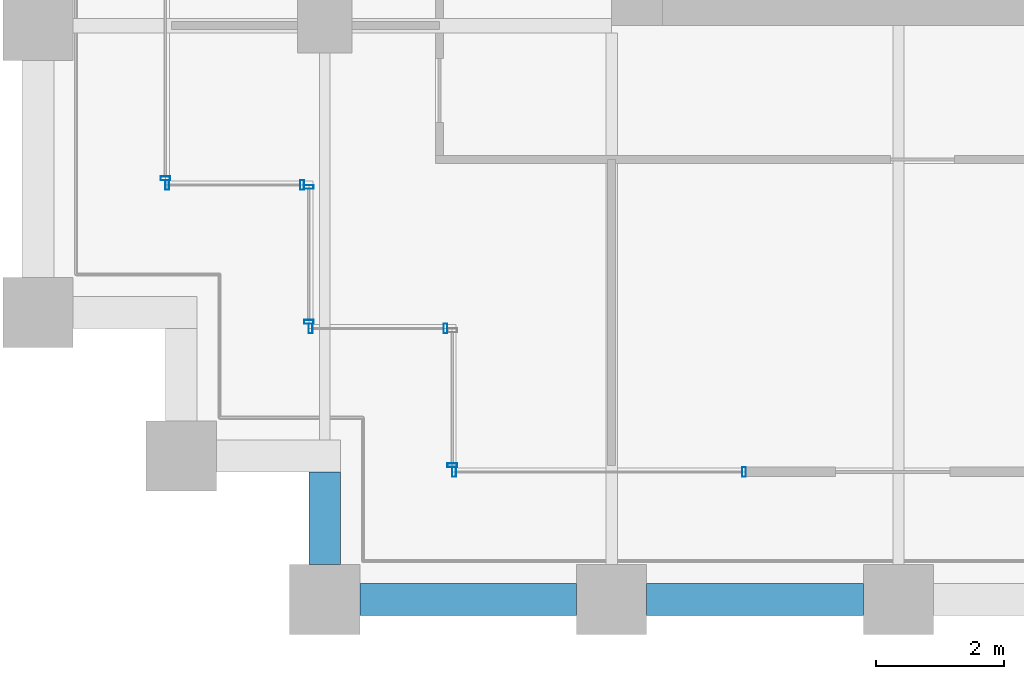
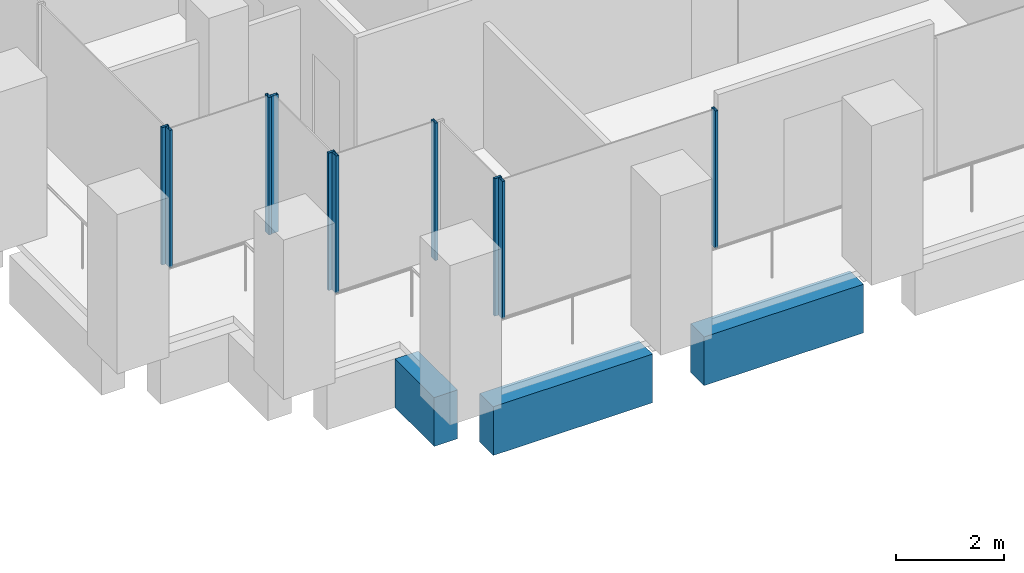
# One storey, part 34 of 56: 10 members, 3 beams, 6 elements without a shape of their own.
"""IFC4 building model written with IfcOpenShell, lengths in metres."""

from ifc_helpers import new_model, si_unit, direction, frame, origin, origin_2d, place, context, subcontext, project, spatial, rectangle, hollow_rectangle, extrude, material, material_profile, profile_set, type_object, element, aggregate, save


model = new_model("IFC4")

# Units and contexts
model_context = context("Model", 3, precision=1e-05, world=origin(), true_north=direction((0.0, 1.0)))
body_context = subcontext(model_context, "Body", "Model", "MODEL_VIEW")
ifc_project = project(units=[si_unit("LENGTHUNIT", "METRE"), si_unit("AREAUNIT", "SQUARE_METRE"), si_unit("VOLUMEUNIT", "CUBIC_METRE"), si_unit("PLANEANGLEUNIT", "RADIAN"), si_unit("MASSUNIT", "GRAM", prefix="KILO")], contexts=[model_context])

# Site, building, storey
site_placement = place(None, origin())
site = spatial("IfcSite", under=ifc_project, at=site_placement, CompositionType="ELEMENT")
building_placement = place(site_placement, origin())
building = spatial("IfcBuilding", under=site, at=building_placement, Name="Altepetl Exchange Towers", CompositionType="ELEMENT")
storey_placement = place(building_placement, frame((0.0, 0.0, 54.60009765625)))
storey = spatial("IfcBuildingStorey", under=building, at=storey_placement, Name="L12", CompositionType="ELEMENT", Elevation=54.60009765625)

# Curtain wall, member
ifc_material_1 = material(Name="Aluminium 6063-T6 glazing", Category="aluminium")
curtain_wall_type = type_object("IfcCurtainWallType", Name="Loggia glazing system", PredefinedType="NOTDEFINED", material=ifc_material_1)
curtain_wall_1_placement = place(storey_placement, origin())
curtain_wall_1 = element("IfcCurtainWall", 1, at=curtain_wall_1_placement, inside=storey, type_object=curtain_wall_type, Name="CW1 run", PredefinedType="NOTDEFINED")
ifc_material_2 = material(Name="Aluminium 6063-T6", Category="aluminium")
ifc_material_profile_1 = material_profile(ifc_material_2, hollow_rectangle(XDim=0.06005859375, YDim=0.14990234375, WallThickness=0.0029296875, at=origin_2d()), Name="Mullion 60x150 aluminium")
ifc_profile_set_1 = profile_set([ifc_material_profile_1], Name="Aluminium 6063-T6")
member_type = type_object("IfcMemberType", Name="Mullion 60x150 aluminium", PredefinedType="MULLION", material=ifc_profile_set_1)
member_1_placement = place(storey_placement, frame((96.5, 33.60498046875, 0.0), z_axis=(0.0, 0.0, 1.0), x_axis=(0.0, -1.0, 0.0)))
member_1 = element("IfcMember", 2, at=member_1_placement, type_object=member_type, Name="MU1 mullion", PredefinedType="MULLION", context=body_context, shape_type="SweptSolid", body=[
    extrude(hollow_rectangle(XDim=0.06005859375, YDim=0.14990234375, WallThickness=0.0029296875, at=origin_2d()), origin(), (0.0, 0.0, 1.0), 3.099853515625),
])
aggregate(curtain_wall_1, [member_1])

# Curtain wall, members
curtain_wall_2_placement = place(storey_placement, origin())
curtain_wall_2 = element("IfcCurtainWall", 3, at=curtain_wall_2_placement, inside=storey, type_object=curtain_wall_type, Name="CW1 run", PredefinedType="NOTDEFINED")
member_2_placement = place(storey_placement, frame((96.530029296875, 33.5, 0.0)))
member_2 = element("IfcMember", 4, at=member_2_placement, type_object=member_type, Name="MU1 mullion", PredefinedType="MULLION", context=body_context, shape_type="SweptSolid", body=[
    extrude(hollow_rectangle(XDim=0.06005859375, YDim=0.14990234375, WallThickness=0.0029296875, at=origin_2d()), origin(), (0.0, 0.0, 1.0), 3.099853515625),
])
member_3_placement = place(storey_placement, frame((98.64501953125, 33.5, 0.0)))
member_3 = element("IfcMember", 5, at=member_3_placement, type_object=member_type, Name="MU1 mullion", PredefinedType="MULLION", context=body_context, shape_type="SweptSolid", body=[
    extrude(hollow_rectangle(XDim=0.06005859375, YDim=0.14990234375, WallThickness=0.0029296875, at=origin_2d()), origin(), (0.0, 0.0, 1.0), 3.099853515625),
])
aggregate(curtain_wall_2, [member_2, member_3])

curtain_wall_3_placement = place(storey_placement, origin())
curtain_wall_3 = element("IfcCurtainWall", 6, at=curtain_wall_3_placement, inside=storey, type_object=curtain_wall_type, Name="CW1 run", PredefinedType="NOTDEFINED")
member_4_placement = place(storey_placement, frame((98.75, 33.469970703125, 0.0), z_axis=(0.0, 0.0, 1.0), x_axis=(0.0, -1.0, 0.0)))
member_4 = element("IfcMember", 7, at=member_4_placement, type_object=member_type, Name="MU1 mullion", PredefinedType="MULLION", context=body_context, shape_type="SweptSolid", body=[
    extrude(hollow_rectangle(XDim=0.06005859375, YDim=0.14990234375, WallThickness=0.0029296875, at=origin_2d()), origin(), (0.0, 0.0, 1.0), 3.099853515625),
])
member_5_placement = place(storey_placement, frame((98.75, 31.35498046875, 0.0), z_axis=(0.0, 0.0, 1.0), x_axis=(0.0, -1.0, 0.0)))
member_5 = element("IfcMember", 8, at=member_5_placement, type_object=member_type, Name="MU1 mullion", PredefinedType="MULLION", context=body_context, shape_type="SweptSolid", body=[
    extrude(hollow_rectangle(XDim=0.06005859375, YDim=0.14990234375, WallThickness=0.0029296875, at=origin_2d()), origin(), (0.0, 0.0, 1.0), 3.099853515625),
])
aggregate(curtain_wall_3, [member_4, member_5])

curtain_wall_4_placement = place(storey_placement, origin())
curtain_wall_4 = element("IfcCurtainWall", 9, at=curtain_wall_4_placement, inside=storey, type_object=curtain_wall_type, Name="CW1 run", PredefinedType="NOTDEFINED")
member_6_placement = place(storey_placement, frame((98.780029296875, 31.25, 0.0)))
member_6 = element("IfcMember", 10, at=member_6_placement, type_object=member_type, Name="MU1 mullion", PredefinedType="MULLION", context=body_context, shape_type="SweptSolid", body=[
    extrude(hollow_rectangle(XDim=0.06005859375, YDim=0.14990234375, WallThickness=0.0029296875, at=origin_2d()), origin(), (0.0, 0.0, 1.0), 3.099853515625),
])
member_7_placement = place(storey_placement, frame((100.89501953125, 31.25, 0.0)))
member_7 = element("IfcMember", 11, at=member_7_placement, type_object=member_type, Name="MU1 mullion", PredefinedType="MULLION", context=body_context, shape_type="SweptSolid", body=[
    extrude(hollow_rectangle(XDim=0.06005859375, YDim=0.14990234375, WallThickness=0.0029296875, at=origin_2d()), origin(), (0.0, 0.0, 1.0), 3.099853515625),
])
aggregate(curtain_wall_4, [member_6, member_7])

# Curtain wall, member
curtain_wall_5_placement = place(storey_placement, origin())
curtain_wall_5 = element("IfcCurtainWall", 12, at=curtain_wall_5_placement, inside=storey, type_object=curtain_wall_type, Name="CW1 run", PredefinedType="NOTDEFINED")
member_8_placement = place(storey_placement, frame((101.0, 29.10498046875, 0.0), z_axis=(0.0, 0.0, 1.0), x_axis=(0.0, -1.0, 0.0)))
member_8 = element("IfcMember", 13, at=member_8_placement, type_object=member_type, Name="MU1 mullion", PredefinedType="MULLION", context=body_context, shape_type="SweptSolid", body=[
    extrude(hollow_rectangle(XDim=0.06005859375, YDim=0.14990234375, WallThickness=0.0029296875, at=origin_2d()), origin(), (0.0, 0.0, 1.0), 3.099853515625),
])
aggregate(curtain_wall_5, [member_8])

# Curtain wall, members
curtain_wall_6_placement = place(storey_placement, origin())
curtain_wall_6 = element("IfcCurtainWall", 14, at=curtain_wall_6_placement, inside=storey, type_object=curtain_wall_type, Name="CW1 run", PredefinedType="NOTDEFINED")
member_9_placement = place(storey_placement, frame((101.030029296875, 29.0, 0.0)))
member_9 = element("IfcMember", 15, at=member_9_placement, type_object=member_type, Name="MU1 mullion", PredefinedType="MULLION", context=body_context, shape_type="SweptSolid", body=[
    extrude(hollow_rectangle(XDim=0.06005859375, YDim=0.14990234375, WallThickness=0.0029296875, at=origin_2d()), origin(), (0.0, 0.0, 1.0), 3.099853515625),
])
member_10_placement = place(storey_placement, frame((105.576171875, 29.0, 0.0)))
member_10 = element("IfcMember", 16, at=member_10_placement, type_object=member_type, Name="MU1 mullion", PredefinedType="MULLION", context=body_context, shape_type="SweptSolid", body=[
    extrude(hollow_rectangle(XDim=0.06005859375, YDim=0.14990234375, WallThickness=0.0029296875, at=origin_2d()), origin(), (0.0, 0.0, 1.0), 3.099853515625),
])
aggregate(curtain_wall_6, [member_9, member_10])

# Beams
ifc_material_3 = material(Name="Concrete C50/60 precast with tezontle facing", Category="concrete")
ifc_material_profile_2 = material_profile(ifc_material_3, rectangle(XDim=0.5, YDim=1.10009765625, at=origin_2d()), Name="500 x 1100")
ifc_profile_set_2 = profile_set([ifc_material_profile_2], Name="Concrete C50/60 precast with tezontle facing")
beam_type = type_object("IfcBeamType", Name="Spandrel beam 500x1100 tezontle", PredefinedType="SPANDREL", material=ifc_profile_set_2)
for number, where, z_axis, x_axis, name in (
    (17, (99.550048828125, 27.0, -0.7001953125), (1.0, 0.0, 0.0), (0.0, 1.0, 0.0), "sp:B:L12:000"),
    (18, (104.050048828125, 27.0, -0.7001953125), (1.0, 0.0, 0.0), (0.0, 1.0, 0.0), "sp:B:L12:001"),
):
    element("IfcBeam", number, at=place(storey_placement, frame(where, z_axis=z_axis, x_axis=x_axis)), inside=storey, type_object=beam_type, Name=name, PredefinedType="SPANDREL", context=body_context, shape_type="SweptSolid", body=[
        extrude(rectangle(XDim=0.5, YDim=1.10009765625, at=origin_2d()), origin(), (0.0, 0.0, 1.0), 3.39990234375),
    ])
beam_placement = place(storey_placement, frame((99.0, 29.0, -0.7001953125), z_axis=(0.0, -1.0, 0.0), x_axis=(1.0, 0.0, 0.0)))
element("IfcBeam", 19, at=beam_placement, inside=storey, type_object=beam_type, Name="sp:B:L12:035", PredefinedType="SPANDREL", context=body_context, shape_type="SweptSolid", body=[
    extrude(rectangle(XDim=0.5, YDim=1.10009765625, at=origin_2d()), origin(), (0.0, 0.0, 1.0), 1.449951171875),
])

save(model, "model.ifc")
